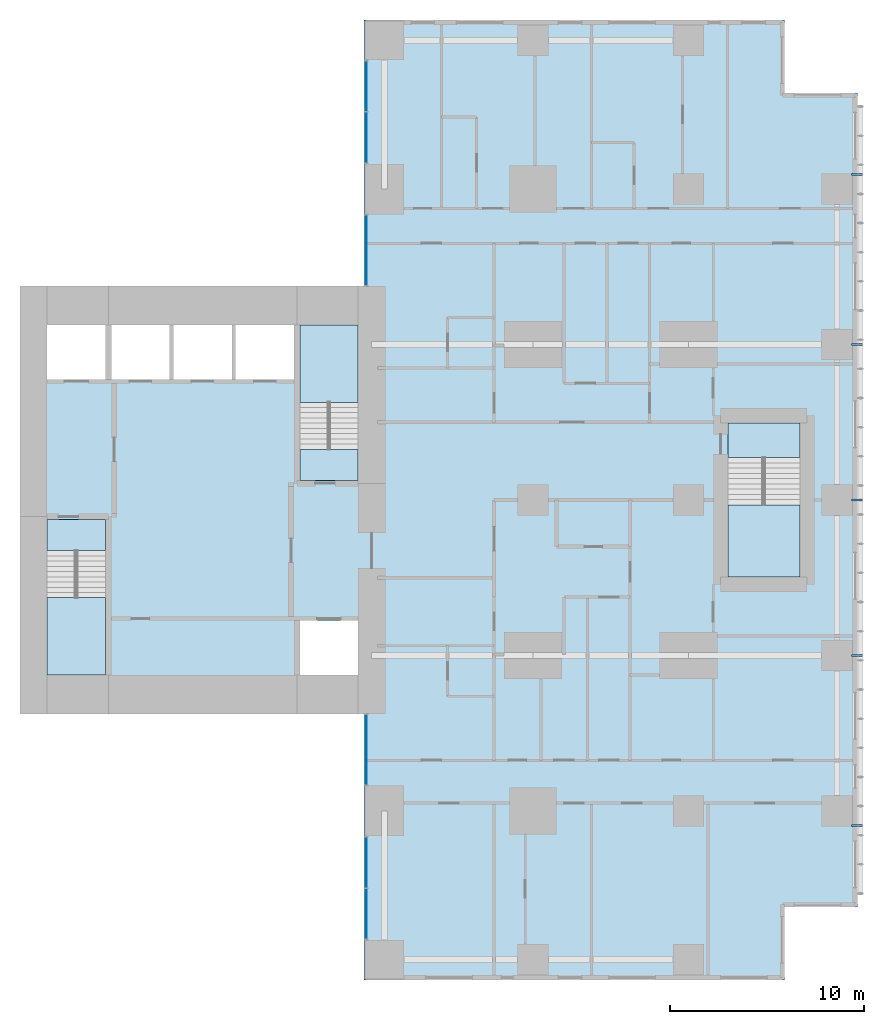
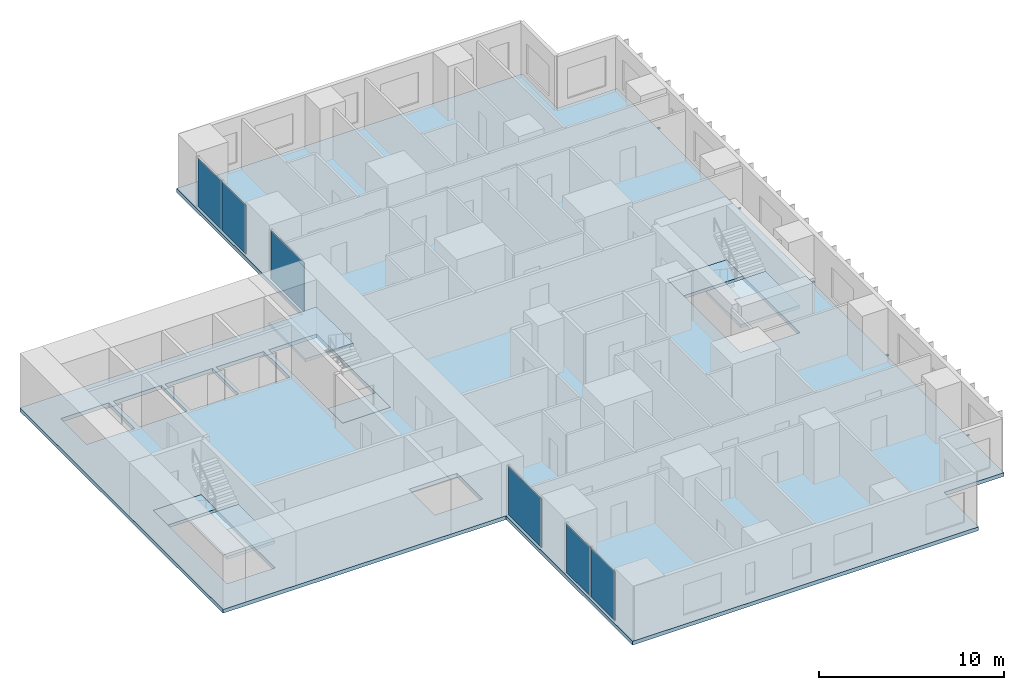
# One storey, part 4 of 12: 7 slabs, 6 plates, 5 members, 7 elements without a shape of their own.
"""IFC4 building model written with IfcOpenShell, lengths in metres."""

from ifc_helpers import new_model, si_unit, direction, frame, origin, origin_2d, place, context, subcontext, project, spatial, polyline, rectangle, hollow_rectangle, outline, extrude, material, layer, layer_set, material_profile, profile_set, type_object, element, aggregate, save


model = new_model("IFC4")

# Units and contexts
model_context = context("Model", 3, precision=1e-05, world=origin(), true_north=direction((0.0, 1.0)))
body_context = subcontext(model_context, "Body", "Model", "MODEL_VIEW")
ifc_project = project(units=[si_unit("LENGTHUNIT", "METRE"), si_unit("AREAUNIT", "SQUARE_METRE"), si_unit("VOLUMEUNIT", "CUBIC_METRE"), si_unit("PLANEANGLEUNIT", "RADIAN"), si_unit("MASSUNIT", "GRAM", prefix="KILO")], contexts=[model_context])

# Site, building, storey
site_placement = place(None, origin())
site = spatial("IfcSite", under=ifc_project, at=site_placement, CompositionType="ELEMENT")
building_placement = place(site_placement, origin())
building = spatial("IfcBuilding", under=site, at=building_placement, Name="Cleftline Residences", CompositionType="ELEMENT")
storey_placement = place(building_placement, frame((0.0, 0.0, 244.800048828125)))
storey = spatial("IfcBuildingStorey", under=building, at=storey_placement, Name="L64", CompositionType="ELEMENT", Elevation=244.800048828125)

# Members
ifc_material_1 = material(Name="Steel S355, hot-dip galvanised", Category="steel")
ifc_material_profile = material_profile(ifc_material_1, hollow_rectangle(XDim=0.10009765625, YDim=0.10009765625, WallThickness=0.008056640625, InnerFilletRadius=0.008056640625, OuterFilletRadius=0.011962890625, at=origin_2d()))
ifc_profile_set = profile_set([ifc_material_profile], Name="Steel S355, hot-dip galvanised")
member_type = type_object("IfcMemberType", Name="BAGUETTE BRACKET SHS 100X100X8", PredefinedType="USERDEFINED", material=ifc_profile_set)
for number, where, z_axis, x_axis, name in (
    (1, (66.39990234375, 7.25, -0.150146484375), (1.0, 0.0, 0.0), (0.0, 1.0, 0.0), "Baguette bracket"),
    (2, (66.39990234375, 16.0, -0.150146484375), (1.0, 0.0, 0.0), (0.0, 1.0, 0.0), "Baguette bracket"),
    (3, (66.39990234375, 24.0, -0.150146484375), (1.0, 0.0, 0.0), (0.0, 1.0, 0.0), "Baguette bracket"),
    (4, (66.39990234375, 32.0, -0.150146484375), (1.0, 0.0, 0.0), (0.0, 1.0, 0.0), "Baguette bracket"),
    (5, (66.39990234375, 40.75, -0.150146484375), (1.0, 0.0, 0.0), (0.0, 1.0, 0.0), "Baguette bracket"),
):
    element("IfcMember", number, at=place(storey_placement, frame(where, z_axis=z_axis, x_axis=x_axis)), inside=storey, type_object=member_type, Name=name, ObjectType="BAGUETTE BRACKET", PredefinedType="USERDEFINED", context=body_context, shape_type="SweptSolid", body=[
        extrude(hollow_rectangle(XDim=0.10009765625, YDim=0.10009765625, WallThickness=0.008056640625, InnerFilletRadius=0.008056640625, OuterFilletRadius=0.011962890625, at=origin_2d()), origin(), (0.0, 0.0, 1.0), 0.550048828125),
    ])

# Curtain wall, plate
ifc_material_2 = material(Name="Aluminium framed curtain wall", Category="aluminium")
ifc_layer_1 = layer(ifc_material_2, 0.199951171875)
ifc_layer_set_1 = layer_set([ifc_layer_1], Name="CW1 CLEFT GLAZING")
curtain_wall_type = type_object("IfcCurtainWallType", Name="CW1 CLEFT GLAZING", PredefinedType="NOTDEFINED", material=ifc_layer_set_1)
curtain_wall_1_placement = place(storey_placement, origin())
curtain_wall_1 = element("IfcCurtainWall", 6, at=curtain_wall_1_placement, inside=storey, type_object=curtain_wall_type, Name="Curtain wall CW1", PredefinedType="NOTDEFINED")
ifc_material_3 = material(Name="Laminated clear glass", Category="glass")
ifc_layer_2 = layer(ifc_material_3, 0.028076171875)
ifc_layer_set_2 = layer_set([ifc_layer_2], Name="CW1 GLASS PANEL")
plate_type = type_object("IfcPlateType", Name="CW1 GLASS PANEL", PredefinedType="CURTAIN_PANEL", material=ifc_layer_set_2)
plate_1_placement = place(storey_placement, frame((41.425048828125, 11.14990234375, 0.06005859375), z_axis=(0.0, 0.0, 1.0), x_axis=(0.0, -1.0, 0.0)))
plate_1 = element("IfcPlate", 7, at=plate_1_placement, type_object=plate_type, Name="CW1 panel 1.1", PredefinedType="CURTAIN_PANEL", context=body_context, shape_type="SweptSolid", body=[
    extrude(rectangle(XDim=3.580078125, YDim=0.028076171875, at=origin_2d()), origin(), (0.0, 0.0, 1.0), 3.22998046875),
])
aggregate(curtain_wall_1, [plate_1])

# Curtain wall, plates
curtain_wall_2_placement = place(storey_placement, origin())
curtain_wall_2 = element("IfcCurtainWall", 8, at=curtain_wall_2_placement, inside=storey, type_object=curtain_wall_type, Name="Curtain wall CW1", PredefinedType="NOTDEFINED")
plate_2_placement = place(storey_placement, frame((41.425048828125, 5.347412109375, 0.06005859375), z_axis=(0.0, 0.0, 1.0), x_axis=(0.0, -1.0, 0.0)))
plate_2 = element("IfcPlate", 9, at=plate_2_placement, type_object=plate_type, Name="CW1 panel 1.1", PredefinedType="CURTAIN_PANEL", context=body_context, shape_type="SweptSolid", body=[
    extrude(rectangle(XDim=2.5849609375, YDim=0.028076171875, at=origin_2d()), origin(), (0.0, 0.0, 1.0), 3.22998046875),
])
plate_3_placement = place(storey_placement, frame((41.425048828125, 2.702392578125, 0.06005859375), z_axis=(0.0, 0.0, 1.0), x_axis=(0.0, -1.0, 0.0)))
plate_3 = element("IfcPlate", 10, at=plate_3_placement, type_object=plate_type, Name="CW1 panel 2.1", PredefinedType="CURTAIN_PANEL", context=body_context, shape_type="SweptSolid", body=[
    extrude(rectangle(XDim=2.5849609375, YDim=0.028076171875, at=origin_2d()), origin(), (0.0, 0.0, 1.0), 3.22998046875),
])
aggregate(curtain_wall_2, [plate_2, plate_3])

curtain_wall_3_placement = place(storey_placement, origin())
curtain_wall_3 = element("IfcCurtainWall", 11, at=curtain_wall_3_placement, inside=storey, type_object=curtain_wall_type, Name="Curtain wall CW1", PredefinedType="NOTDEFINED")
plate_4_placement = place(storey_placement, frame((41.425048828125, 45.297607421875, 0.06005859375), z_axis=(0.0, 0.0, 1.0), x_axis=(0.0, -1.0, 0.0)))
plate_4 = element("IfcPlate", 12, at=plate_4_placement, type_object=plate_type, Name="CW1 panel 1.1", PredefinedType="CURTAIN_PANEL", context=body_context, shape_type="SweptSolid", body=[
    extrude(rectangle(XDim=2.5849609375, YDim=0.028076171875, at=origin_2d()), origin(), (0.0, 0.0, 1.0), 3.22998046875),
])
plate_5_placement = place(storey_placement, frame((41.425048828125, 42.652587890625, 0.06005859375), z_axis=(0.0, 0.0, 1.0), x_axis=(0.0, -1.0, 0.0)))
plate_5 = element("IfcPlate", 13, at=plate_5_placement, type_object=plate_type, Name="CW1 panel 2.1", PredefinedType="CURTAIN_PANEL", context=body_context, shape_type="SweptSolid", body=[
    extrude(rectangle(XDim=2.5849609375, YDim=0.028076171875, at=origin_2d()), origin(), (0.0, 0.0, 1.0), 3.22998046875),
])
aggregate(curtain_wall_3, [plate_4, plate_5])

# Curtain wall, plate
curtain_wall_4_placement = place(storey_placement, origin())
curtain_wall_4 = element("IfcCurtainWall", 14, at=curtain_wall_4_placement, inside=storey, type_object=curtain_wall_type, Name="Curtain wall CW1", PredefinedType="NOTDEFINED")
plate_6_placement = place(storey_placement, frame((41.425048828125, 36.85009765625, 0.06005859375), z_axis=(0.0, 0.0, 1.0), x_axis=(0.0, -1.0, 0.0)))
plate_6 = element("IfcPlate", 15, at=plate_6_placement, type_object=plate_type, Name="CW1 panel 1.1", PredefinedType="CURTAIN_PANEL", context=body_context, shape_type="SweptSolid", body=[
    extrude(rectangle(XDim=3.580078125, YDim=0.028076171875, at=origin_2d()), origin(), (0.0, 0.0, 1.0), 3.22998046875),
])
aggregate(curtain_wall_4, [plate_6])

# Slab
ifc_material_4 = material(Name="Concrete B45", Category="concrete")
ifc_layer_3 = layer(ifc_material_4, 0.25)
ifc_layer_set_3 = layer_set([ifc_layer_3], Name="FLOOR SLAB 250")
slab_type_1 = type_object("IfcSlabType", Name="FLOOR SLAB 250", PredefinedType="FLOOR", material=ifc_layer_set_3)
slab_1_placement = place(storey_placement, frame((0.0, 0.0, -0.25)))
element("IfcSlab", 16, at=slab_1_placement, inside=storey, type_object=slab_type_1, Name="Floor slab L64", PredefinedType="FLOOR", context=body_context, shape_type="SweptSolid", body=[
    extrude(outline(polyline([(41.300048828125, 13.0), (41.300048828125, -0.699951171875), (62.949951171875, -0.699951171875), (62.949951171875, 3.050048828125), (66.699951171875, 3.050048828125), (66.699951171875, 44.949951171875), (62.949951171875, 44.949951171875), (62.949951171875, 48.699951171875), (41.300048828125, 48.699951171875), (41.300048828125, 35.0), (23.60009765625, 35.0), (23.60009765625, 13.0), (41.300048828125, 13.0)]), holes=[polyline([(28.0, 15.0), (28.0, 23.0), (25.0, 23.0), (25.0, 15.0), (28.0, 15.0)]), polyline([(41.0, 25.0), (41.0, 33.0), (38.0, 33.0), (38.0, 25.0), (41.0, 25.0)]), polyline([(28.0, 30.199951171875), (28.0, 33.0), (25.0, 33.0), (25.0, 30.199951171875), (28.0, 30.199951171875)]), polyline([(41.0, 15.0), (41.0, 17.800048828125), (38.0, 17.800048828125), (38.0, 15.0), (41.0, 15.0)]), polyline([(31.300048828125, 30.199951171875), (31.300048828125, 33.0), (28.300048828125, 33.0), (28.300048828125, 30.199951171875), (31.300048828125, 30.199951171875)]), polyline([(34.5, 30.199951171875), (34.5, 33.0), (31.5, 33.0), (31.5, 30.199951171875), (34.5, 30.199951171875)]), polyline([(37.699951171875, 30.199951171875), (37.699951171875, 33.0), (34.699951171875, 33.0), (34.699951171875, 30.199951171875), (37.699951171875, 30.199951171875)]), polyline([(63.72509765625, 20.02490234375), (63.72509765625, 27.97509765625), (60.02490234375, 27.97509765625), (60.02490234375, 20.02490234375), (63.72509765625, 20.02490234375)])]), origin(), (0.0, 0.0, 1.0), 0.25),
])

# Stair, slabs
ifc_material_5 = material(Name="Concrete B45, stone treads", Category="masonry")
stair_type_1 = type_object("IfcStairType", Name="STAIR A 1450 WIDE 180 RISER", PredefinedType="HALF_TURN_STAIR", material=ifc_material_5)
stair_1_placement = place(storey_placement, origin())
stair_1 = element("IfcStair", 17, at=stair_1_placement, inside=storey, type_object=stair_type_1, Name="Stair A L64", PredefinedType="HALF_TURN_STAIR")
ifc_material_6 = material(Name="Concrete B45", Category="concrete")
ifc_layer_4 = layer(ifc_material_6, 0.199951171875)
ifc_layer_set_4 = layer_set([ifc_layer_4], Name="STAIR LANDING 200")
slab_type_2 = type_object("IfcSlabType", Name="STAIR LANDING 200", PredefinedType="LANDING", material=ifc_layer_set_4)
slab_2_placement = place(storey_placement, frame((0.0, 0.0, -0.199951171875)))
slab_2 = element("IfcSlab", 18, at=slab_2_placement, type_object=slab_type_2, Name="ST-A landing 1", PredefinedType="LANDING", context=body_context, shape_type="SweptSolid", body=[
    extrude(outline(polyline([(25.0, 21.39990234375), (28.0, 21.39990234375), (28.0, 23.0), (25.0, 23.0), (25.0, 21.39990234375)])), origin(), (0.0, 0.0, 1.0), 0.199951171875),
])
slab_3_placement = place(storey_placement, frame((0.0, 0.0, 1.599853515625)))
slab_3 = element("IfcSlab", 19, at=slab_3_placement, type_object=slab_type_2, Name="ST-A landing 2", PredefinedType="LANDING", context=body_context, shape_type="SweptSolid", body=[
    extrude(outline(polyline([(25.0, 15.0), (28.0, 15.0), (28.0, 18.969970703125), (25.0, 18.969970703125), (25.0, 15.0)])), origin(), (0.0, 0.0, 1.0), 0.2001953125),
])
aggregate(stair_1, [slab_2, slab_3])

ifc_material_7 = material(Name="Concrete B45, stone treads", Category="masonry")
stair_type_2 = type_object("IfcStairType", Name="STAIR B 1450 WIDE 180 RISER", PredefinedType="HALF_TURN_STAIR", material=ifc_material_7)
stair_2_placement = place(storey_placement, origin())
stair_2 = element("IfcStair", 20, at=stair_2_placement, inside=storey, type_object=stair_type_2, Name="Stair B L64", PredefinedType="HALF_TURN_STAIR")
slab_4_placement = place(storey_placement, frame((0.0, 0.0, -0.199951171875)))
slab_4 = element("IfcSlab", 21, at=slab_4_placement, type_object=slab_type_2, Name="ST-B landing 1", PredefinedType="LANDING", context=body_context, shape_type="SweptSolid", body=[
    extrude(outline(polyline([(38.0, 25.0), (41.0, 25.0), (41.0, 26.60009765625), (38.0, 26.60009765625), (38.0, 25.0)])), origin(), (0.0, 0.0, 1.0), 0.199951171875),
])
slab_5_placement = place(storey_placement, frame((0.0, 0.0, 1.599853515625)))
slab_5 = element("IfcSlab", 22, at=slab_5_placement, type_object=slab_type_2, Name="ST-B landing 2", PredefinedType="LANDING", context=body_context, shape_type="SweptSolid", body=[
    extrude(outline(polyline([(38.0, 29.030029296875), (41.0, 29.030029296875), (41.0, 33.0), (38.0, 33.0), (38.0, 29.030029296875)])), origin(), (0.0, 0.0, 1.0), 0.2001953125),
])
aggregate(stair_2, [slab_4, slab_5])

ifc_material_8 = material(Name="Concrete B45, stone treads", Category="masonry")
stair_type_3 = type_object("IfcStairType", Name="STAIR E 1800 WIDE 180 RISER", PredefinedType="HALF_TURN_STAIR", material=ifc_material_8)
stair_3_placement = place(storey_placement, origin())
stair_3 = element("IfcStair", 23, at=stair_3_placement, inside=storey, type_object=stair_type_3, Name="Stair E L64", PredefinedType="HALF_TURN_STAIR")
slab_6_placement = place(storey_placement, frame((0.0, 0.0, -0.199951171875)))
slab_6 = element("IfcSlab", 24, at=slab_6_placement, type_object=slab_type_2, Name="ST-E landing 1", PredefinedType="LANDING", context=body_context, shape_type="SweptSolid", body=[
    extrude(outline(polyline([(60.02490234375, 26.175048828125), (63.72509765625, 26.175048828125), (63.72509765625, 27.97509765625), (60.02490234375, 27.97509765625), (60.02490234375, 26.175048828125)])), origin(), (0.0, 0.0, 1.0), 0.199951171875),
])
slab_7_placement = place(storey_placement, frame((0.0, 0.0, 1.599853515625)))
slab_7 = element("IfcSlab", 25, at=slab_7_placement, type_object=slab_type_2, Name="ST-E landing 2", PredefinedType="LANDING", context=body_context, shape_type="SweptSolid", body=[
    extrude(outline(polyline([(60.02490234375, 20.02490234375), (63.72509765625, 20.02490234375), (63.72509765625, 23.7451171875), (60.02490234375, 23.7451171875), (60.02490234375, 20.02490234375)])), origin(), (0.0, 0.0, 1.0), 0.2001953125),
])
aggregate(stair_3, [slab_6, slab_7])

save(model, "model.ifc")
